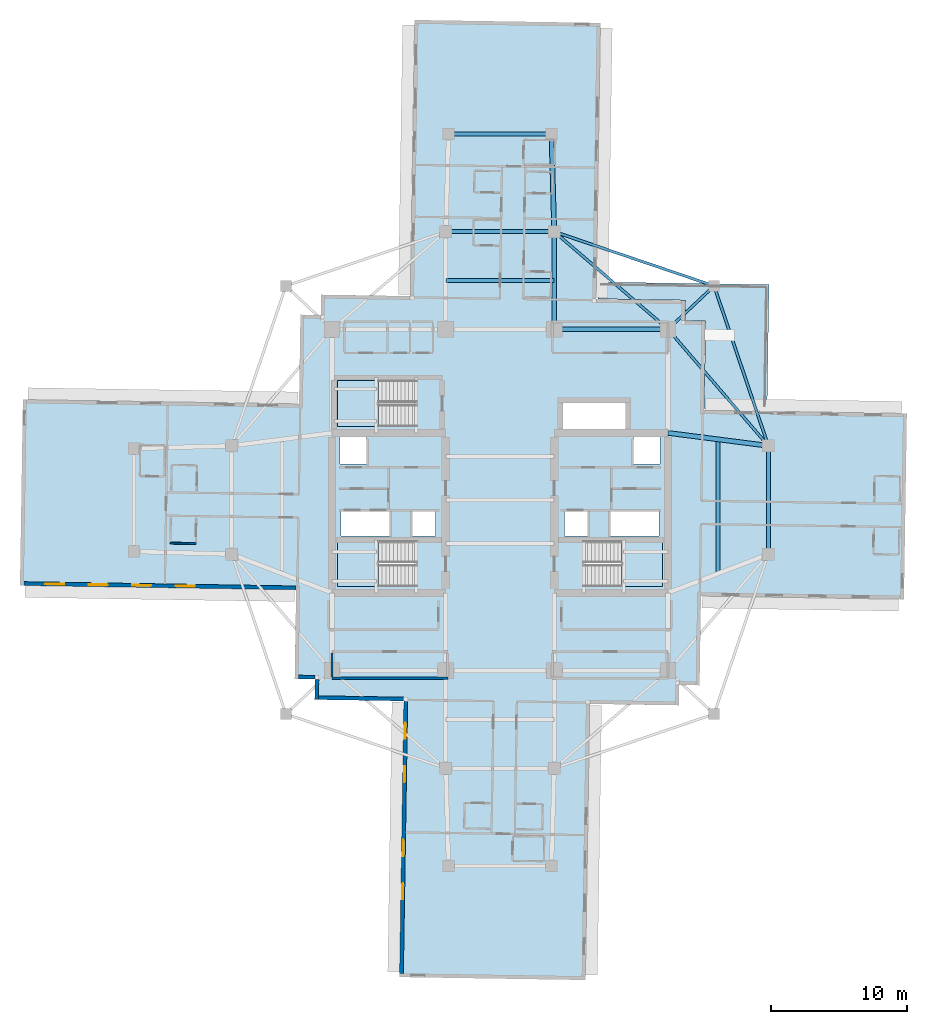
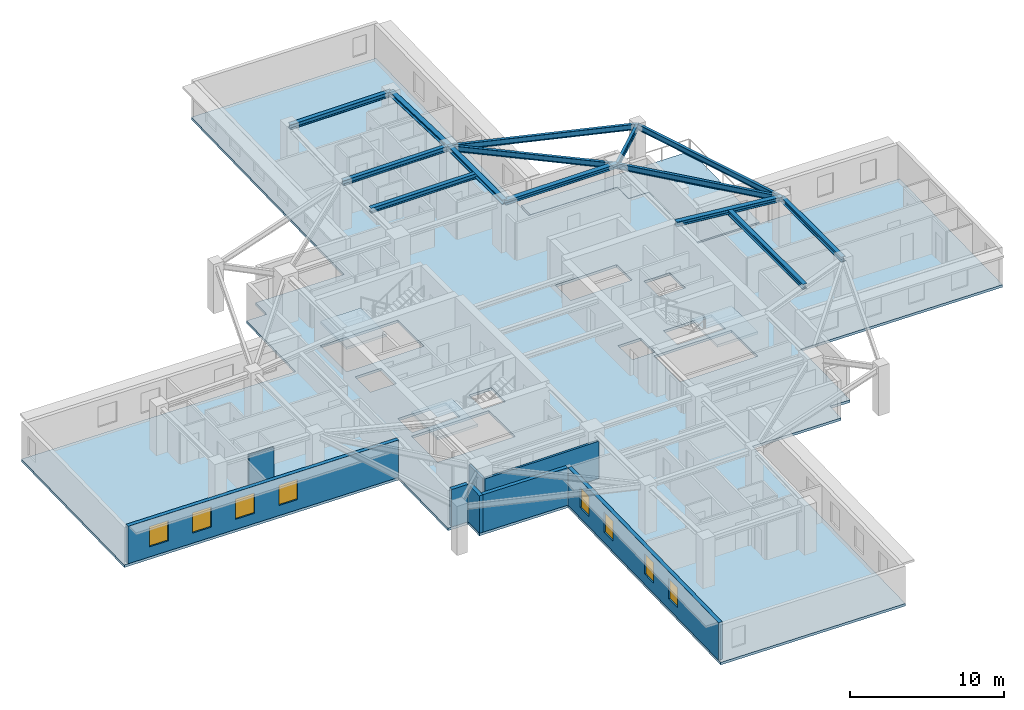
# One storey, part 2 of 13: 14 beams, 8 walls, 8 windows, 5 slabs, 8 openings, 3 elements without a shape of their own.
"""IFC4 building model written with IfcOpenShell, lengths in metres."""

from ifc_helpers import new_model, si_unit, direction, frame, frame_2d, origin, origin_2d, place, context, subcontext, project, spatial, polyline, rectangle, i_section, outline, extrude, material, layer, layer_set, material_profile, profile_set, type_object, element, fill, aggregate, save


model = new_model("IFC4")

# Units and contexts
model_context = context("Model", 3, precision=1e-05, world=origin(), true_north=direction((0.0, 1.0)))
body_context = subcontext(model_context, "Body", "Model", "MODEL_VIEW")
ifc_project = project(units=[si_unit("LENGTHUNIT", "METRE"), si_unit("AREAUNIT", "SQUARE_METRE"), si_unit("VOLUMEUNIT", "CUBIC_METRE"), si_unit("PLANEANGLEUNIT", "RADIAN"), si_unit("MASSUNIT", "GRAM", prefix="KILO")], contexts=[model_context])

# Site, building, storey
site_placement = place(None, origin())
site = spatial("IfcSite", under=ifc_project, at=site_placement, CompositionType="ELEMENT")
building_placement = place(site_placement, origin())
building = spatial("IfcBuilding", under=site, at=building_placement, Name="Qingluan Cross Belvedere", CompositionType="ELEMENT")
storey_placement = place(building_placement, frame((0.0, 0.0, 180.0)))
storey = spatial("IfcBuildingStorey", under=building, at=storey_placement, Name="L45", CompositionType="ELEMENT", Elevation=180.0)

# Beams
ifc_material_1 = material(Name="Steel Q420GJB", Category="steel")
ifc_material_profile_1 = material_profile(ifc_material_1, i_section(OverallWidth=0.300048828125, OverallDepth=0.389892578125, WebThickness=0.010009765625, FlangeThickness=0.01611328125, FilletRadius=0.01806640625, at=origin_2d()), Name="HM390x300x10x16")
ifc_profile_set_1 = profile_set([ifc_material_profile_1], Name="Steel Q420GJB")
beam_type_1 = type_object("IfcBeamType", Name="Steel_Beam_HM390x300x10x16", PredefinedType="BEAM", material=ifc_profile_set_1)
beam_1_placement = place(storey_placement, frame((19.800048828125, -4.0, 3.5048828125), z_axis=(0.0, 1.0, 0.0), x_axis=(-1.0, 0.0, 0.0)))
element("IfcBeam", 1, at=beam_1_placement, inside=storey, type_object=beam_type_1, Name="Arm E tie L45", PredefinedType="BEAM", context=body_context, shape_type="SweptSolid", body=[
    extrude(i_section(OverallWidth=0.300048828125, OverallDepth=0.389892578125, WebThickness=0.010009765625, FlangeThickness=0.01611328125, FilletRadius=0.01806640625, at=origin_2d()), origin(), (0.0, 0.0, 1.0), 8.0),
])
beam_2_placement = place(storey_placement, frame((16.10009765625, -5.425048828125, 3.5048828125), z_axis=(0.0, 1.0, 0.0), x_axis=(-1.0, 0.0, 0.0)))
element("IfcBeam", 2, at=beam_2_placement, inside=storey, type_object=beam_type_1, Name="Arm E beam L45", PredefinedType="BEAM", context=body_context, shape_type="SweptSolid", body=[
    extrude(i_section(OverallWidth=0.300048828125, OverallDepth=0.389892578125, WebThickness=0.010009765625, FlangeThickness=0.01611328125, FilletRadius=0.01806640625, at=origin_2d()), origin(), (0.0, 0.0, 1.0), 9.900146484375),
])
for number, where, z_axis, x_axis, name in (
    (3, (-4.0, 19.800048828125, 3.5048828125), (1.0, 0.0, 0.0), (0.0, 1.0, 0.0), "Arm N tie L45"),
    (4, (-4.0, 16.199951171875, 3.5048828125), (1.0, 0.0, 0.0), (0.0, 1.0, 0.0), "Arm N beam L45"),
):
    element("IfcBeam", number, at=place(storey_placement, frame(where, z_axis=z_axis, x_axis=x_axis)), inside=storey, type_object=beam_type_1, Name=name, PredefinedType="BEAM", context=body_context, shape_type="SweptSolid", body=[
        extrude(i_section(OverallWidth=0.300048828125, OverallDepth=0.389892578125, WebThickness=0.010009765625, FlangeThickness=0.01611328125, FilletRadius=0.01806640625, at=origin_2d()), origin(), (0.0, 0.0, 1.0), 8.0),
    ])
beam_3_placement = place(storey_placement, frame((-3.800048828125, 27.0, 3.5048828125), z_axis=(1.0, 0.0, 0.0), x_axis=(0.0, 1.0, 0.0)))
element("IfcBeam", 5, at=beam_3_placement, inside=storey, type_object=beam_type_1, Name="Arm N tip transverse beam L45", PredefinedType="BEAM", context=body_context, shape_type="SweptSolid", body=[
    extrude(i_section(OverallWidth=0.300048828125, OverallDepth=0.389892578125, WebThickness=0.010009765625, FlangeThickness=0.01611328125, FilletRadius=0.01806640625, at=origin_2d()), origin(), (0.0, 0.0, 1.0), 7.60009765625),
])
ifc_material_2 = material(Name="Steel Q420GJB", Category="steel")
ifc_material_profile_2 = material_profile(ifc_material_2, i_section(OverallWidth=0.199951171875, OverallDepth=0.449951171875, WebThickness=0.009033203125, FlangeThickness=0.013916015625, FilletRadius=0.01611328125, at=origin_2d()), Name="HN450x200x9x14")
ifc_profile_set_2 = profile_set([ifc_material_profile_2], Name="Steel Q420GJB")
beam_type_2 = type_object("IfcBeamType", Name="Steel_Beam_HN450x200x9x14", PredefinedType="JOIST", material=ifc_profile_set_2)
beam_4_placement = place(storey_placement, frame((12.39990234375, 12.60009765625, 3.455078125), z_axis=(0.728219948308, 0.685343495546, 0.0), x_axis=(-0.685343495546, 0.728219948308, 0.0)))
element("IfcBeam", 6, at=beam_4_placement, inside=storey, type_object=beam_type_2, Name="Corner beam 1 L45-RNE", PredefinedType="JOIST", context=body_context, shape_type="SweptSolid", body=[
    extrude(i_section(OverallWidth=0.199951171875, OverallDepth=0.449951171875, WebThickness=0.009033203125, FlangeThickness=0.013916015625, FilletRadius=0.01611328125, at=origin_2d()), origin(), (0.0, 0.0, 1.0), 4.669189453125),
])
for number, where, z_axis, x_axis, name in (
    (7, (15.800048828125, 15.800048828125, 3.455078125), (-0.947066283324, 0.321038089628, 0.0), (-0.321038089628, -0.947066283324, 0.0), "Corner beam 2 L45-RNE"),
    (8, (15.800048828125, 15.800048828125, 3.455078125), (0.321038089628, -0.947066283324, 0.0), (0.947066283324, 0.321038089628, 0.0), "Corner beam 3 L45-RNE"),
):
    element("IfcBeam", number, at=place(storey_placement, frame(where, z_axis=z_axis, x_axis=x_axis)), inside=storey, type_object=beam_type_2, Name=name, PredefinedType="JOIST", context=body_context, shape_type="SweptSolid", body=[
        extrude(i_section(OverallWidth=0.199951171875, OverallDepth=0.449951171875, WebThickness=0.009033203125, FlangeThickness=0.013916015625, FilletRadius=0.01611328125, at=origin_2d()), origin(), (0.0, 0.0, 1.0), 12.45947265625),
    ])
beam_5_placement = place(storey_placement, frame((12.39990234375, 12.60009765625, 3.455078125), z_axis=(0.652245077546, -0.75800815221, 0.0), x_axis=(0.75800815221, 0.652245077546, 0.0)))
element("IfcBeam", 9, at=beam_5_placement, inside=storey, type_object=beam_type_2, Name="Corner beam 4 L45-RNE", PredefinedType="JOIST", context=body_context, shape_type="SweptSolid", body=[
    extrude(i_section(OverallWidth=0.199951171875, OverallDepth=0.449951171875, WebThickness=0.009033203125, FlangeThickness=0.013916015625, FilletRadius=0.01611328125, at=origin_2d()), origin(), (0.0, 0.0, 1.0), 11.345703125),
])
beam_6_placement = place(storey_placement, frame((12.39990234375, 12.60009765625, 3.455078125), z_axis=(-0.759255044656, 0.650793190779, 0.0), x_axis=(-0.650793190779, -0.759255044656, 0.0)))
element("IfcBeam", 10, at=beam_6_placement, inside=storey, type_object=beam_type_2, Name="Corner beam 5 L45-RNE", PredefinedType="JOIST", context=body_context, shape_type="SweptSolid", body=[
    extrude(i_section(OverallWidth=0.199951171875, OverallDepth=0.449951171875, WebThickness=0.009033203125, FlangeThickness=0.013916015625, FilletRadius=0.01611328125, at=origin_2d()), origin(), (0.0, 0.0, 1.0), 11.063232421875),
])
ifc_material_3 = material(Name="Steel Q420GJB", Category="steel")
ifc_material_profile_3 = material_profile(ifc_material_3, i_section(OverallWidth=0.35009765625, OverallDepth=0.35009765625, WebThickness=0.011962890625, FlangeThickness=0.01904296875, FilletRadius=0.02001953125, at=origin_2d()), Name="HW350x350x12x19")
ifc_profile_set_3 = profile_set([ifc_material_profile_3], Name="Steel Q420GJB")
beam_type_3 = type_object("IfcBeamType", Name="Steel_Girder_HW350x350x12x19", PredefinedType="USERDEFINED", material=ifc_profile_set_3)
beam_7_placement = place(storey_placement, frame((4.0, 12.60009765625, 3.52490234375), z_axis=(1.0, 0.0, 0.0), x_axis=(0.0, 1.0, 0.0)))
element("IfcBeam", 11, at=beam_7_placement, inside=storey, type_object=beam_type_3, Name="Hub girder L45-HG-N3", ObjectType="GIRDER", PredefinedType="USERDEFINED", context=body_context, shape_type="SweptSolid", body=[
    extrude(i_section(OverallWidth=0.35009765625, OverallDepth=0.35009765625, WebThickness=0.011962890625, FlangeThickness=0.01904296875, FilletRadius=0.02001953125, at=origin_2d()), origin(), (0.0, 0.0, 1.0), 8.39990234375),
])
beam_8_placement = place(storey_placement, frame((12.39990234375, 4.949951171875, 3.52490234375), z_axis=(0.991861120628, -0.12732445714, 0.0), x_axis=(0.12732445714, 0.991861120628, 0.0)))
element("IfcBeam", 12, at=beam_8_placement, inside=storey, type_object=beam_type_3, Name="Arm E radial girder B L45", ObjectType="GIRDER", PredefinedType="USERDEFINED", context=body_context, shape_type="SweptSolid", body=[
    extrude(i_section(OverallWidth=0.35009765625, OverallDepth=0.35009765625, WebThickness=0.011962890625, FlangeThickness=0.01904296875, FilletRadius=0.02001953125, at=origin_2d()), origin(), (0.0, 0.0, 1.0), 7.4609375),
])
beam_9_placement = place(storey_placement, frame((4.0, 12.60009765625, 3.52490234375), z_axis=(0.0, 1.0, 0.0), x_axis=(-1.0, 0.0, 0.0)))
element("IfcBeam", 13, at=beam_9_placement, inside=storey, type_object=beam_type_3, Name="Arm N radial girder B L45", ObjectType="GIRDER", PredefinedType="USERDEFINED", context=body_context, shape_type="SweptSolid", body=[
    extrude(i_section(OverallWidth=0.35009765625, OverallDepth=0.35009765625, WebThickness=0.011962890625, FlangeThickness=0.01904296875, FilletRadius=0.02001953125, at=origin_2d()), origin(), (0.0, 0.0, 1.0), 7.199951171875),
])
beam_10_placement = place(storey_placement, frame((4.0, 19.800048828125, 3.52490234375), z_axis=(-0.027760481514, 0.999614603568, 0.0), x_axis=(-0.999614603568, -0.027760481514, 0.0)))
element("IfcBeam", 14, at=beam_10_placement, inside=storey, type_object=beam_type_3, Name="Arm N outer radial girder B L45", ObjectType="GIRDER", PredefinedType="USERDEFINED", context=body_context, shape_type="SweptSolid", body=[
    extrude(i_section(OverallWidth=0.35009765625, OverallDepth=0.35009765625, WebThickness=0.011962890625, FlangeThickness=0.01904296875, FilletRadius=0.02001953125, at=origin_2d()), origin(), (0.0, 0.0, 1.0), 7.20263671875),
])

# Slab
ifc_material_4 = material(Name="Concrete C40", Category="concrete")
ifc_layer_1 = layer(ifc_material_4, 0.199951171875, Name="FloorSlab_200")
ifc_layer_set_1 = layer_set([ifc_layer_1], Name="Concrete C40")
slab_type_1 = type_object("IfcSlabType", Name="FloorSlab_200", PredefinedType="FLOOR", material=ifc_layer_set_1)
slab_1_placement = place(storey_placement, frame((0.0, 0.0, -0.199951171875)))
element("IfcSlab", 15, at=slab_1_placement, inside=storey, type_object=slab_type_1, Name="Structural floor slab L45", PredefinedType="FLOOR", context=body_context, shape_type="SweptSolid", body=[
    extrude(outline(polyline([(6.304443359375, -35.42333984375), (6.62451171875, -15.0458984375), (13.20361328125, -15.1494140625), (13.227294921875, -13.6494140625), (14.72705078125, -13.673095703125), (14.830322265625, -7.09375), (29.80859375, -7.3291015625), (30.024169921875, 6.38916015625), (15.0458984375, 6.62451171875), (15.1494140625, 13.20361328125), (13.6494140625, 13.227294921875), (13.673095703125, 14.72705078125), (7.09375, 14.830322265625), (7.413818359375, 35.2080078125), (-6.304443359375, 35.42333984375), (-6.62451171875, 15.0458984375), (-13.20361328125, 15.1494140625), (-13.227294921875, 13.6494140625), (-14.72705078125, 13.673095703125), (-14.830322265625, 7.09375), (-35.2080078125, 7.413818359375), (-35.42333984375, -6.304443359375), (-15.0458984375, -6.62451171875), (-15.1494140625, -13.20361328125), (-13.6494140625, -13.227294921875), (-13.673095703125, -14.72705078125), (-7.09375, -14.830322265625), (-7.413818359375, -35.2080078125), (6.304443359375, -35.42333984375)]), holes=[polyline([(-12.0, -3.0), (-6.179931640625, -3.0), (-6.179931640625, -6.39990234375), (-12.0, -6.39990234375), (-12.0, -3.0)]), polyline([(6.179931640625, -3.0), (12.0, -3.0), (12.0, -6.39990234375), (6.179931640625, -6.39990234375), (6.179931640625, -3.0)]), polyline([(-12.0, 8.820068359375), (-6.179931640625, 8.820068359375), (-6.179931640625, 5.419921875), (-12.0, 5.419921875), (-12.0, 8.820068359375)]), polyline([(-11.800048828125, 4.64990234375), (-9.85009765625, 4.64990234375), (-9.85009765625, 2.64990234375), (-11.800048828125, 2.64990234375), (-11.800048828125, 4.64990234375)]), polyline([(9.85009765625, 4.64990234375), (11.800048828125, 4.64990234375), (11.800048828125, 2.64990234375), (9.85009765625, 2.64990234375), (9.85009765625, 4.64990234375)]), polyline([(-11.75, -0.840087890625), (-8.14990234375, -0.840087890625), (-8.14990234375, -2.659912109375), (-11.75, -2.659912109375), (-11.75, -0.840087890625)]), polyline([(-6.449951171875, -0.840087890625), (-4.75, -0.840087890625), (-4.75, -2.659912109375), (-6.449951171875, -2.659912109375), (-6.449951171875, -0.840087890625)]), polyline([(4.75, -0.840087890625), (6.449951171875, -0.840087890625), (6.449951171875, -2.659912109375), (4.75, -2.659912109375), (4.75, -0.840087890625)]), polyline([(8.14990234375, -0.840087890625), (11.75, -0.840087890625), (11.75, -2.659912109375), (8.14990234375, -2.659912109375), (8.14990234375, -0.840087890625)]), polyline([(4.64990234375, 7.14990234375), (9.25, 7.14990234375), (9.25, 5.14990234375), (4.64990234375, 5.14990234375), (4.64990234375, 7.14990234375)])]), origin(), (0.0, 0.0, 1.0), 0.199951171875),
])

# Stair, slab
ifc_material_5 = material(Name="Concrete C40", Category="concrete")
stair_type = type_object("IfcStairType", Name="CoreDoglegStair_1620", PredefinedType="HALF_TURN_STAIR", material=ifc_material_5)
stair_1_placement = place(storey_placement, origin())
stair_1 = element("IfcStair", 16, at=stair_1_placement, inside=storey, type_object=stair_type, Name="L45 ST1", PredefinedType="HALF_TURN_STAIR")
ifc_material_6 = material(Name="Concrete C40", Category="concrete")
ifc_layer_2 = layer(ifc_material_6, 0.179931640625, Name="StairLandingSlab_180")
ifc_layer_set_2 = layer_set([ifc_layer_2], Name="Concrete C40")
slab_type_2 = type_object("IfcSlabType", Name="StairLandingSlab_180", PredefinedType="LANDING", material=ifc_layer_set_2)
slab_2_placement = place(storey_placement, frame((0.0, 0.0, 1.75)))
slab_2 = element("IfcSlab", 17, at=slab_2_placement, type_object=slab_type_2, Name="ST1 landing 1", PredefinedType="LANDING", context=body_context, shape_type="SweptSolid", body=[
    extrude(outline(polyline([(-8.97998046875, -3.0), (-12.0, -3.0), (-12.0, -6.39990234375), (-8.97998046875, -6.39990234375), (-8.97998046875, -3.0)])), origin(), (0.0, 0.0, 1.0), 0.199951171875),
])
aggregate(stair_1, [slab_2])

stair_2_placement = place(storey_placement, origin())
stair_2 = element("IfcStair", 18, at=stair_2_placement, inside=storey, type_object=stair_type, Name="L45 ST2", PredefinedType="HALF_TURN_STAIR")
slab_3_placement = place(storey_placement, frame((0.0, 0.0, 1.75)))
slab_3 = element("IfcSlab", 19, at=slab_3_placement, type_object=slab_type_2, Name="ST2 landing 1", PredefinedType="LANDING", context=body_context, shape_type="SweptSolid", body=[
    extrude(outline(polyline([(8.97998046875, -6.39990234375), (12.0, -6.39990234375), (12.0, -3.0), (8.97998046875, -3.0), (8.97998046875, -6.39990234375)])), origin(), (0.0, 0.0, 1.0), 0.199951171875),
])
aggregate(stair_2, [slab_3])

stair_3_placement = place(storey_placement, origin())
stair_3 = element("IfcStair", 20, at=stair_3_placement, inside=storey, type_object=stair_type, Name="L45 ST3", PredefinedType="HALF_TURN_STAIR")
slab_4_placement = place(storey_placement, frame((0.0, 0.0, 1.75)))
slab_4 = element("IfcSlab", 21, at=slab_4_placement, type_object=slab_type_2, Name="ST3 landing 1", PredefinedType="LANDING", context=body_context, shape_type="SweptSolid", body=[
    extrude(outline(polyline([(-8.97998046875, 8.820068359375), (-12.0, 8.820068359375), (-12.0, 5.419921875), (-8.97998046875, 5.419921875), (-8.97998046875, 8.820068359375)])), origin(), (0.0, 0.0, 1.0), 0.199951171875),
])
aggregate(stair_3, [slab_4])

# Slab
ifc_material_7 = material(Name="Concrete C40", Category="concrete")
ifc_layer_3 = layer(ifc_material_7, 0.219970703125, Name="TerraceSlab_220")
ifc_layer_set_3 = layer_set([ifc_layer_3], Name="Concrete C40")
slab_type_3 = type_object("IfcSlabType", Name="TerraceSlab_220", PredefinedType="FLOOR", material=ifc_layer_set_3)
slab_5_placement = place(storey_placement, frame((0.0, 0.0, -0.219970703125)))
element("IfcSlab", 22, at=slab_5_placement, inside=storey, type_object=slab_type_3, Name="Spiralling winter-garden terrace slab L45", PredefinedType="FLOOR", context=body_context, shape_type="SweptSolid", body=[
    extrude(outline(polyline([(7.23388671875, 14.838134765625), (13.6787109375, 14.7353515625), (13.65966796875, 13.237060546875), (15.1494140625, 13.213623046875), (15.1591796875, 13.20556640625), (15.05810546875, 6.764404296875), (19.70751953125, 6.69140625), (19.85205078125, 15.89013671875), (7.253662109375, 16.088134765625), (7.23388671875, 14.838134765625)])), origin(), (0.0, 0.0, 1.0), 0.219970703125),
])

# Walls
ifc_material_8 = material(Name="Gypsum plasterboard on steel stud acoustic partition", Category="steel")
ifc_layer_4 = layer(ifc_material_8, 0.159912109375, Name="CorridorPartition_160")
ifc_layer_set_4 = layer_set([ifc_layer_4], Name="Gypsum plasterboard on steel stud acoustic partition")
wall_type_1 = type_object("IfcWallType", Name="CorridorPartition_160", PredefinedType="PARTITIONING", material=ifc_layer_set_4)
wall_1_placement = place(storey_placement, frame((-12.39990234375, -13.14990234375, 0.0), z_axis=(0.0, 0.0, 1.0), x_axis=(1.0, 0.0, 0.0)))
element("IfcWall", 23, at=wall_1_placement, inside=storey, type_object=wall_type_1, Name="Partition L45:q_sw:S", PredefinedType="PARTITIONING", context=body_context, shape_type="SweptSolid", body=[
    extrude(rectangle(XDim=8.5498046875, YDim=0.159912109375, at=frame_2d((4.27490234375, 0.0))), origin(), (0.0, 0.0, 1.0), 2.9599609375),
])
wall_2_placement = place(storey_placement, frame((-12.39990234375, -13.06494140625, 0.0), z_axis=(0.0, 0.0, 1.0), x_axis=(0.0, 1.0, 0.0)))
element("IfcWall", 24, at=wall_2_placement, inside=storey, type_object=wall_type_1, Name="Partition L45:q_sw:W", PredefinedType="PARTITIONING", context=body_context, shape_type="SweptSolid", body=[
    extrude(rectangle(XDim=1.780029296875, YDim=0.159912109375, at=frame_2d((0.89013671875, 0.0))), origin(), (0.0, 0.0, 1.0), 2.9599609375),
])
ifc_material_9 = material(Name="Moisture-resistant gypsum board lining")
ifc_layer_5 = layer(ifc_material_9, 0.1201171875, Name="EnsuiteWetPartition_120")
ifc_layer_set_5 = layer_set([ifc_layer_5], Name="Moisture-resistant gypsum board lining")
wall_type_2 = type_object("IfcWallType", Name="EnsuiteWetPartition_120", PredefinedType="PARTITIONING", material=ifc_layer_set_5)
wall_3_placement = place(storey_placement, frame((-22.443115234375, -3.212890625, 0.0), z_axis=(0.0, 0.0, 1.0), x_axis=(-0.999876553475, 0.01571234584, 0.0)))
element("IfcWall", 25, at=wall_3_placement, inside=storey, type_object=wall_type_2, Name="Partition L45:W:bc1_0", PredefinedType="PARTITIONING", context=body_context, shape_type="SweptSolid", body=[
    extrude(rectangle(XDim=1.880126953125, YDim=0.1201171875, at=frame_2d((0.93994140625, 0.0))), origin(), (0.0, 0.0, 1.0), 2.9599609375),
])

# Wall, openings, windows
ifc_material_10 = material(Name="Precast concrete C45", Category="concrete")
ifc_layer_6 = layer(ifc_material_10, 0.280029296875, Name="PrecastFacadeWall_280")
ifc_layer_set_6 = layer_set([ifc_layer_6], Name="Precast concrete C45")
wall_type_3 = type_object("IfcWallType", Name="PrecastFacadeWall_280", PredefinedType="STANDARD", material=ifc_layer_set_6)
wall_4_placement = place(storey_placement, frame((-35.14111328125, -6.168701171875, 0.0), z_axis=(0.0, 0.0, 1.0), x_axis=(0.999876474133, -0.01571739401, 0.0)))
wall_4 = element("IfcWall", 26, at=wall_4_placement, inside=storey, type_object=wall_type_3, Name="Facade wall L45-WB", PredefinedType="STANDARD", context=body_context, shape_type="SweptSolid", body=[
    extrude(rectangle(XDim=20.099853515625, YDim=0.280029296875, at=frame_2d((10.0498046875, 0.0))), origin(), (0.0, 0.0, 1.0), 2.969970703125),
])
opening_1_placement = place(wall_4_placement, frame((1.60009765625, 0.0, 0.800048828125)))
opening_1 = element("IfcOpeningElement", 27, at=opening_1_placement, cuts=wall_4, Name="Opening W-01", PredefinedType="OPENING", context=body_context, shape_type="SweptSolid", body=[
    extrude(rectangle(XDim=1.39990234375, YDim=1.60009765625, at=frame_2d((0.699951171875, 0.800048828125))), frame((0.0, 0.14990234375, 0.0), z_axis=(0.0, -1.0, 0.0), x_axis=(1.0, 0.0, 0.0)), (0.0, 0.0, 1.0), 0.300048828125),
])
opening_2_placement = place(wall_4_placement, frame((4.800048828125, 0.0, 0.800048828125)))
opening_2 = element("IfcOpeningElement", 28, at=opening_2_placement, cuts=wall_4, Name="Opening W-01", PredefinedType="OPENING", context=body_context, shape_type="SweptSolid", body=[
    extrude(rectangle(XDim=1.39990234375, YDim=1.60009765625, at=frame_2d((0.699951171875, 0.800048828125))), frame((0.0, 0.14990234375, 0.0), z_axis=(0.0, -1.0, 0.0), x_axis=(1.0, 0.0, 0.0)), (0.0, 0.0, 1.0), 0.300048828125),
])
opening_3_placement = place(wall_4_placement, frame((8.0, 0.0, 0.800048828125)))
opening_3 = element("IfcOpeningElement", 29, at=opening_3_placement, cuts=wall_4, Name="Opening W-01", PredefinedType="OPENING", context=body_context, shape_type="SweptSolid", body=[
    extrude(rectangle(XDim=1.39990234375, YDim=1.60009765625, at=frame_2d((0.699951171875, 0.800048828125))), frame((0.0, 0.14990234375, 0.0), z_axis=(0.0, -1.0, 0.0), x_axis=(1.0, 0.0, 0.0)), (0.0, 0.0, 1.0), 0.300048828125),
])
opening_4_placement = place(wall_4_placement, frame((11.199951171875, 0.0, 0.800048828125)))
opening_4 = element("IfcOpeningElement", 30, at=opening_4_placement, cuts=wall_4, Name="Opening W-01", PredefinedType="OPENING", context=body_context, shape_type="SweptSolid", body=[
    extrude(rectangle(XDim=1.39990234375, YDim=1.60009765625, at=frame_2d((0.699951171875, 0.800048828125))), frame((0.0, 0.14990234375, 0.0), z_axis=(0.0, -1.0, 0.0), x_axis=(1.0, 0.0, 0.0)), (0.0, 0.0, 1.0), 0.300048828125),
])
ifc_material_11 = material(Name="Thermally broken triple Low-E glass in aluminium frame", Category="aluminium")
window_type_1 = type_object("IfcWindowType", Name="TriRibbonWin_1400x1600", PartitioningType="SINGLE_PANEL", PredefinedType="WINDOW", material=ifc_material_11)
window_1_placement = place(opening_1_placement, origin())
window_1 = element("IfcWindow", 31, at=window_1_placement, inside=storey, type_object=window_type_1, Name="Ribbon window L45-WB-1", OverallHeight=1.60009765625, OverallWidth=1.39990234375, PartitioningType="SINGLE_PANEL", PredefinedType="WINDOW", context=body_context, shape_type="SweptSolid", body=[
    extrude(rectangle(XDim=1.39990234375, YDim=1.60009765625, at=frame_2d((0.699951171875, 0.800048828125))), frame((0.0, 0.030029296875, 0.0), z_axis=(0.0, -1.0, 0.0), x_axis=(1.0, 0.0, 0.0)), (0.0, 0.0, 1.0), 0.06005859375),
])
fill(opening_1, window_1)
window_2_placement = place(opening_2_placement, origin())
window_2 = element("IfcWindow", 32, at=window_2_placement, inside=storey, type_object=window_type_1, Name="Ribbon window L45-WB-2", OverallHeight=1.60009765625, OverallWidth=1.39990234375, PartitioningType="SINGLE_PANEL", PredefinedType="WINDOW", context=body_context, shape_type="SweptSolid", body=[
    extrude(rectangle(XDim=1.39990234375, YDim=1.60009765625, at=frame_2d((0.699951171875, 0.800048828125))), frame((0.0, 0.030029296875, 0.0), z_axis=(0.0, -1.0, 0.0), x_axis=(1.0, 0.0, 0.0)), (0.0, 0.0, 1.0), 0.06005859375),
])
fill(opening_2, window_2)
window_3_placement = place(opening_3_placement, origin())
window_3 = element("IfcWindow", 33, at=window_3_placement, inside=storey, type_object=window_type_1, Name="Ribbon window L45-WB-3", OverallHeight=1.60009765625, OverallWidth=1.39990234375, PartitioningType="SINGLE_PANEL", PredefinedType="WINDOW", context=body_context, shape_type="SweptSolid", body=[
    extrude(rectangle(XDim=1.39990234375, YDim=1.60009765625, at=frame_2d((0.699951171875, 0.800048828125))), frame((0.0, 0.030029296875, 0.0), z_axis=(0.0, -1.0, 0.0), x_axis=(1.0, 0.0, 0.0)), (0.0, 0.0, 1.0), 0.06005859375),
])
fill(opening_3, window_3)
window_4_placement = place(opening_4_placement, origin())
window_4 = element("IfcWindow", 34, at=window_4_placement, inside=storey, type_object=window_type_1, Name="Ribbon window L45-WB-4", OverallHeight=1.60009765625, OverallWidth=1.39990234375, PartitioningType="SINGLE_PANEL", PredefinedType="WINDOW", context=body_context, shape_type="SweptSolid", body=[
    extrude(rectangle(XDim=1.39990234375, YDim=1.60009765625, at=frame_2d((0.699951171875, 0.800048828125))), frame((0.0, 0.030029296875, 0.0), z_axis=(0.0, -1.0, 0.0), x_axis=(1.0, 0.0, 0.0)), (0.0, 0.0, 1.0), 0.06005859375),
])
fill(opening_4, window_4)

wall_5_placement = place(storey_placement, frame((-6.953857421875, -14.83251953125, 0.0), z_axis=(0.0, 0.0, 1.0), x_axis=(-0.015705059908, -0.999876667941, 0.0)))
wall_5 = element("IfcWall", 35, at=wall_5_placement, inside=storey, type_object=wall_type_3, Name="Facade wall L45-SA", PredefinedType="STANDARD", context=body_context, shape_type="SweptSolid", body=[
    extrude(rectangle(XDim=20.10009765625, YDim=0.280029296875, at=frame_2d((10.050048828125, 0.0))), origin(), (0.0, 0.0, 1.0), 2.969970703125),
])
opening_5_placement = place(wall_5_placement, frame((1.60009765625, 0.0, 0.800048828125)))
opening_5 = element("IfcOpeningElement", 36, at=opening_5_placement, cuts=wall_5, Name="Opening W-02", PredefinedType="OPENING", context=body_context, shape_type="SweptSolid", body=[
    extrude(rectangle(XDim=1.199951171875, YDim=1.60009765625, at=frame_2d((0.60009765625, 0.800048828125))), frame((0.0, 0.14990234375, 0.0), z_axis=(0.0, -1.0, 0.0), x_axis=(1.0, 0.0, 0.0)), (0.0, 0.0, 1.0), 0.300048828125),
])
opening_6_placement = place(wall_5_placement, frame((4.800048828125, 0.0, 0.800048828125)))
opening_6 = element("IfcOpeningElement", 37, at=opening_6_placement, cuts=wall_5, Name="Opening W-02", PredefinedType="OPENING", context=body_context, shape_type="SweptSolid", body=[
    extrude(rectangle(XDim=1.199951171875, YDim=1.60009765625, at=frame_2d((0.60009765625, 0.800048828125))), frame((0.0, 0.14990234375, 0.0), z_axis=(0.0, -1.0, 0.0), x_axis=(1.0, 0.0, 0.0)), (0.0, 0.0, 1.0), 0.300048828125),
])
opening_7_placement = place(wall_5_placement, frame((10.25, 0.0, 0.800048828125)))
opening_7 = element("IfcOpeningElement", 38, at=opening_7_placement, cuts=wall_5, Name="Opening W-02", PredefinedType="OPENING", context=body_context, shape_type="SweptSolid", body=[
    extrude(rectangle(XDim=1.199951171875, YDim=1.60009765625, at=frame_2d((0.60009765625, 0.800048828125))), frame((0.0, 0.14990234375, 0.0), z_axis=(0.0, -1.0, 0.0), x_axis=(1.0, 0.0, 0.0)), (0.0, 0.0, 1.0), 0.300048828125),
])
opening_8_placement = place(wall_5_placement, frame((13.449951171875, 0.0, 0.800048828125)))
opening_8 = element("IfcOpeningElement", 39, at=opening_8_placement, cuts=wall_5, Name="Opening W-02", PredefinedType="OPENING", context=body_context, shape_type="SweptSolid", body=[
    extrude(rectangle(XDim=1.199951171875, YDim=1.60009765625, at=frame_2d((0.60009765625, 0.800048828125))), frame((0.0, 0.14990234375, 0.0), z_axis=(0.0, -1.0, 0.0), x_axis=(1.0, 0.0, 0.0)), (0.0, 0.0, 1.0), 0.300048828125),
])
ifc_material_12 = material(Name="Thermally broken triple Low-E glass in aluminium frame", Category="aluminium")
window_type_2 = type_object("IfcWindowType", Name="TriRibbonWin_1200x1600", PartitioningType="SINGLE_PANEL", PredefinedType="WINDOW", material=ifc_material_12)
window_5_placement = place(opening_5_placement, origin())
window_5 = element("IfcWindow", 40, at=window_5_placement, inside=storey, type_object=window_type_2, Name="Ribbon window L45-SA-1", OverallHeight=1.60009765625, OverallWidth=1.199951171875, PartitioningType="SINGLE_PANEL", PredefinedType="WINDOW", context=body_context, shape_type="SweptSolid", body=[
    extrude(rectangle(XDim=1.199951171875, YDim=1.60009765625, at=frame_2d((0.60009765625, 0.800048828125))), frame((0.0, 0.030029296875, 0.0), z_axis=(0.0, -1.0, 0.0), x_axis=(1.0, 0.0, 0.0)), (0.0, 0.0, 1.0), 0.06005859375),
])
fill(opening_5, window_5)
window_6_placement = place(opening_6_placement, origin())
window_6 = element("IfcWindow", 41, at=window_6_placement, inside=storey, type_object=window_type_2, Name="Ribbon window L45-SA-2", OverallHeight=1.60009765625, OverallWidth=1.199951171875, PartitioningType="SINGLE_PANEL", PredefinedType="WINDOW", context=body_context, shape_type="SweptSolid", body=[
    extrude(rectangle(XDim=1.199951171875, YDim=1.60009765625, at=frame_2d((0.60009765625, 0.800048828125))), frame((0.0, 0.030029296875, 0.0), z_axis=(0.0, -1.0, 0.0), x_axis=(1.0, 0.0, 0.0)), (0.0, 0.0, 1.0), 0.06005859375),
])
fill(opening_6, window_6)
window_7_placement = place(opening_7_placement, origin())
window_7 = element("IfcWindow", 42, at=window_7_placement, inside=storey, type_object=window_type_2, Name="Ribbon window L45-SA-3", OverallHeight=1.60009765625, OverallWidth=1.199951171875, PartitioningType="SINGLE_PANEL", PredefinedType="WINDOW", context=body_context, shape_type="SweptSolid", body=[
    extrude(rectangle(XDim=1.199951171875, YDim=1.60009765625, at=frame_2d((0.60009765625, 0.800048828125))), frame((0.0, 0.030029296875, 0.0), z_axis=(0.0, -1.0, 0.0), x_axis=(1.0, 0.0, 0.0)), (0.0, 0.0, 1.0), 0.06005859375),
])
fill(opening_7, window_7)
window_8_placement = place(opening_8_placement, origin())
window_8 = element("IfcWindow", 43, at=window_8_placement, inside=storey, type_object=window_type_2, Name="Ribbon window L45-SA-4", OverallHeight=1.60009765625, OverallWidth=1.199951171875, PartitioningType="SINGLE_PANEL", PredefinedType="WINDOW", context=body_context, shape_type="SweptSolid", body=[
    extrude(rectangle(XDim=1.199951171875, YDim=1.60009765625, at=frame_2d((0.60009765625, 0.800048828125))), frame((0.0, 0.030029296875, 0.0), z_axis=(0.0, -1.0, 0.0), x_axis=(1.0, 0.0, 0.0)), (0.0, 0.0, 1.0), 0.06005859375),
])
fill(opening_8, window_8)

# Walls
wall_6_placement = place(storey_placement, frame((-14.8671875, -13.068115234375, 0.0), z_axis=(0.0, 0.0, 1.0), x_axis=(0.999875053502, -0.015807510352, 0.0)))
element("IfcWall", 44, at=wall_6_placement, inside=storey, type_object=wall_type_3, Name="Corner wall L45-SW2", PredefinedType="STANDARD", context=body_context, shape_type="SweptSolid", body=[
    extrude(rectangle(XDim=1.22021484375, YDim=0.280029296875, at=frame_2d((0.610107421875, 0.0))), origin(), (0.0, 0.0, 1.0), 2.969970703125),
])
wall_7_placement = place(storey_placement, frame((-13.509521484375, -13.2294921875, 0.0), z_axis=(0.0, 0.0, 1.0), x_axis=(-0.015625635615, -0.999877912303, 0.0)))
element("IfcWall", 45, at=wall_7_placement, inside=storey, type_object=wall_type_3, Name="Corner wall L45-SW3", PredefinedType="STANDARD", context=body_context, shape_type="SweptSolid", body=[
    extrude(rectangle(XDim=1.5, YDim=0.280029296875, at=frame_2d((0.75, 0.0))), origin(), (0.0, 0.0, 1.0), 2.969970703125),
])
wall_8_placement = place(storey_placement, frame((-13.390869140625, -14.591552734375, 0.0), z_axis=(0.0, 0.0, 1.0), x_axis=(0.999876833368, -0.015694524359, 0.0)))
element("IfcWall", 46, at=wall_8_placement, inside=storey, type_object=wall_type_3, Name="Corner wall L45-SW4", PredefinedType="STANDARD", context=body_context, shape_type="SweptSolid", body=[
    extrude(rectangle(XDim=6.300048828125, YDim=0.280029296875, at=frame_2d((3.14990234375, 0.0))), origin(), (0.0, 0.0, 1.0), 2.969970703125),
])

save(model, "model.ifc")
